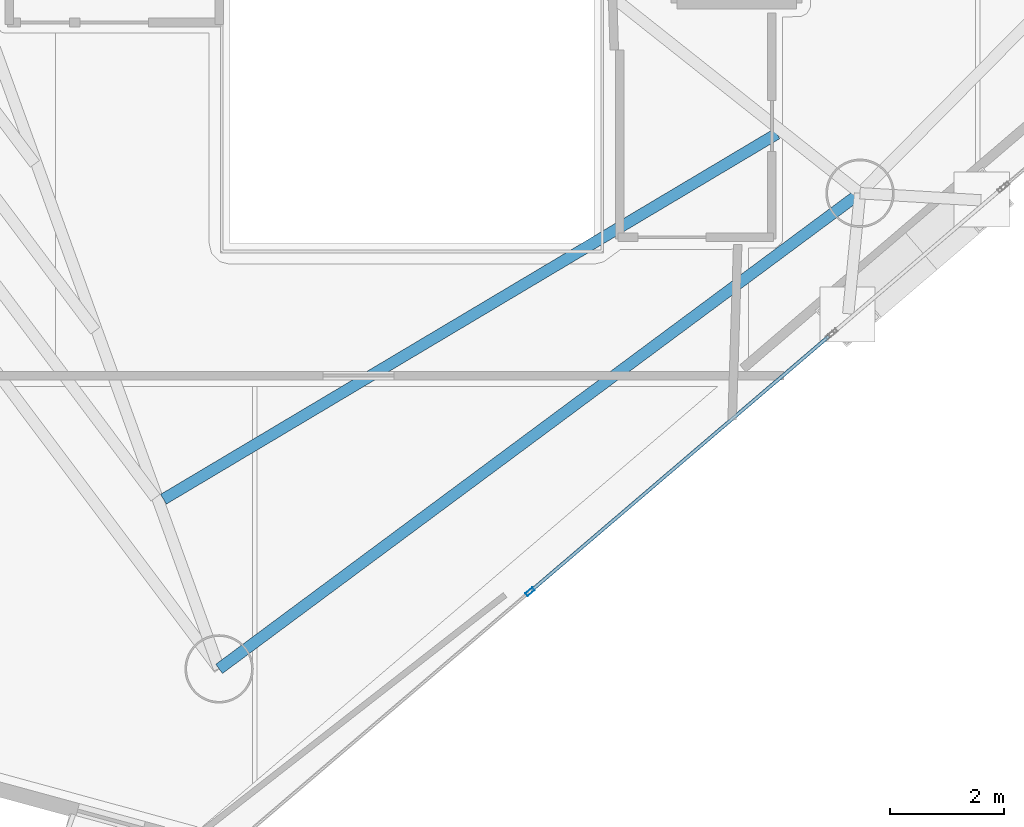
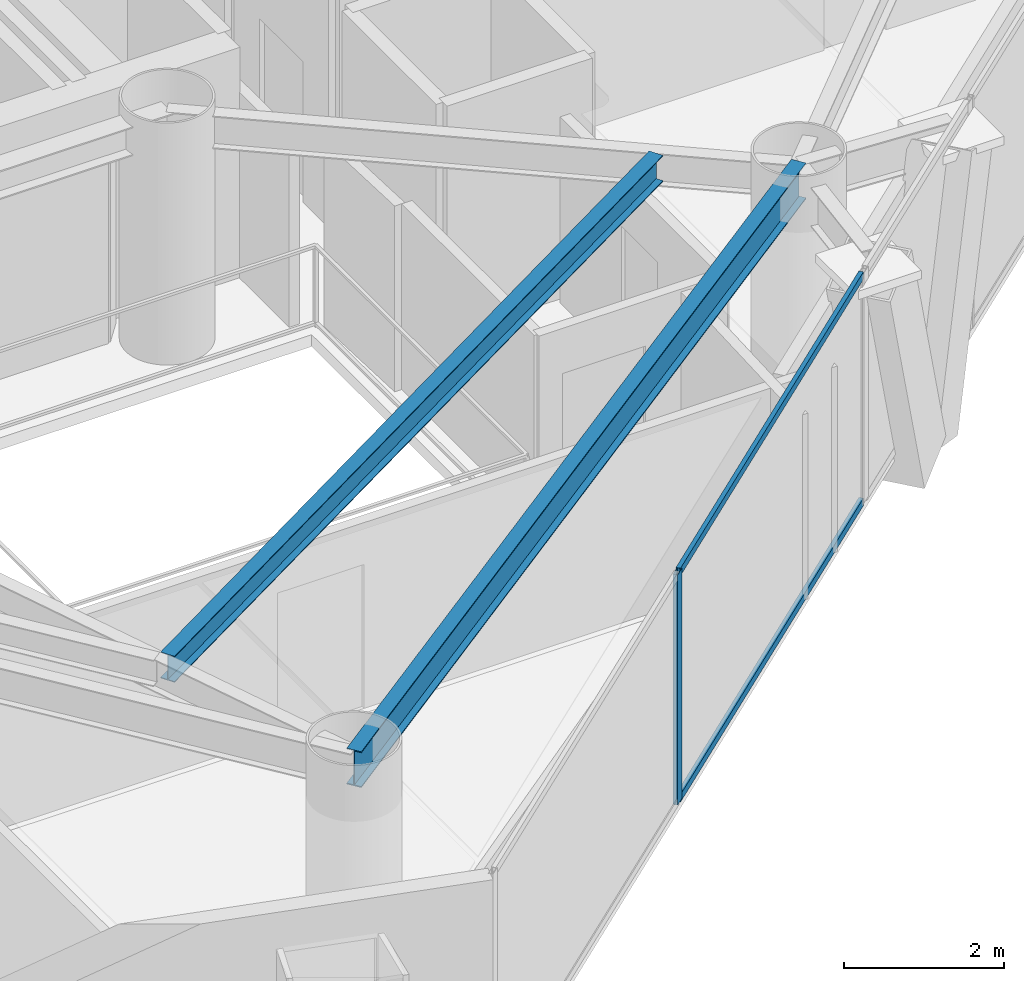
# One storey, part 5 of 23: 3 members, 2 beams, 1 element without a shape of its own.
"""IFC4 building model written with IfcOpenShell, lengths in metres."""

from ifc_helpers import new_model, si_unit, direction, frame, origin, origin_2d, place, context, subcontext, project, spatial, hollow_rectangle, i_section, extrude, material, layer, layer_set, material_profile, profile_set, type_object, element, aggregate, save


model = new_model("IFC4")

# Units and contexts
model_context = context("Model", 3, precision=1e-05, world=origin(), true_north=direction((0.0, 1.0)))
body_context = subcontext(model_context, "Body", "Model", "MODEL_VIEW")
ifc_project = project(units=[si_unit("LENGTHUNIT", "METRE"), si_unit("AREAUNIT", "SQUARE_METRE"), si_unit("VOLUMEUNIT", "CUBIC_METRE"), si_unit("PLANEANGLEUNIT", "RADIAN"), si_unit("MASSUNIT", "GRAM", prefix="KILO")], contexts=[model_context])

# Site, building, storey
site_placement = place(None, origin())
site = spatial("IfcSite", under=ifc_project, at=site_placement, CompositionType="ELEMENT")
building_placement = place(site_placement, origin())
building = spatial("IfcBuilding", under=site, at=building_placement, Name="Qianvela Tower", CompositionType="ELEMENT")
storey_placement = place(building_placement, frame((0.0, 0.0, 215.10009765625)))
storey = spatial("IfcBuildingStorey", under=building, at=storey_placement, Name="L55", CompositionType="ELEMENT", Elevation=215.10009765625)

# Beams
ifc_material_1 = material(Name="Steel Q355B", Category="steel")
ifc_material_profile_1 = material_profile(ifc_material_1, i_section(OverallWidth=0.199951171875, OverallDepth=0.39990234375, WebThickness=0.008056640625, FlangeThickness=0.012939453125, at=origin_2d()), Name="HN400x200x8x13")
ifc_profile_set_1 = profile_set([ifc_material_profile_1], Name="Steel Q355B")
beam_type_1 = type_object("IfcBeamType", Name="BM-HN400-JOIST", PredefinedType="JOIST", material=ifc_profile_set_1)
beam_1_placement = place(storey_placement, frame((32.4365234375, 13.51025390625, 3.31787109375), z_axis=(0.859083505932, 0.511835451914, 0.0), x_axis=(-0.511835451914, 0.859083505932, 0.0)))
element("IfcBeam", 1, at=beam_1_placement, inside=storey, type_object=beam_type_1, Name="L55 Secondary Composite Floor Joist 5.3", PredefinedType="JOIST", context=body_context, shape_type="SweptSolid", body=[
    extrude(i_section(OverallWidth=0.199951171875, OverallDepth=0.39990234375, WebThickness=0.008056640625, FlangeThickness=0.012939453125, at=origin_2d()), origin(), (0.0, 0.0, 1.0), 12.535888671875),
])
ifc_material_2 = material(Name="Steel Q355B", Category="steel")
ifc_material_profile_2 = material_profile(ifc_material_2, i_section(OverallWidth=0.199951171875, OverallDepth=0.550048828125, WebThickness=0.010009765625, FlangeThickness=0.01611328125, at=origin_2d()), Name="HN550x200x10x16")
ifc_profile_set_2 = profile_set([ifc_material_profile_2], Name="Steel Q355B")
beam_type_2 = type_object("IfcBeamType", Name="BM-HN550-GIRD", PredefinedType="BEAM", material=ifc_profile_set_2)
beam_2_placement = place(storey_placement, frame((33.4130859375, 10.531005859375, 3.242919921875), z_axis=(0.803016810701, 0.595956375696, 0.0), x_axis=(-0.595956375696, 0.803016810701, 0.0)))
element("IfcBeam", 2, at=beam_2_placement, inside=storey, type_object=beam_type_2, Name="L55 Perimeter Ring Spandrel Girder 5", PredefinedType="BEAM", context=body_context, shape_type="SweptSolid", body=[
    extrude(i_section(OverallWidth=0.199951171875, OverallDepth=0.550048828125, WebThickness=0.010009765625, FlangeThickness=0.01611328125, at=origin_2d()), origin(), (0.0, 0.0, 1.0), 14.0146484375),
])

# Curtain wall, members
ifc_material_3 = material(Name="Anodised Architectural Aluminium and Low-E Glass", Category="aluminium")
ifc_layer = layer(ifc_material_3, 0.159912109375)
ifc_layer_set = layer_set([ifc_layer], Name="Anodised Architectural Aluminium and Low-E Glass")
curtain_wall_type = type_object("IfcCurtainWallType", Name="CW-COLIV-Z56", PredefinedType="USERDEFINED", material=ifc_layer_set)
curtain_wall_placement = place(storey_placement, origin())
curtain_wall = element("IfcCurtainWall", 3, at=curtain_wall_placement, inside=storey, type_object=curtain_wall_type, Name="L55 CW-COLIV-Z56 Curtain Wall 06A", ObjectType="CURTAIN_WALL_SYSTEM", PredefinedType="USERDEFINED")
ifc_material_4 = material(Name="Anodised Architectural Aluminium 6063-T6", Category="aluminium")
ifc_material_profile_3 = material_profile(ifc_material_4, hollow_rectangle(XDim=0.06494140625, YDim=0.159912109375, WallThickness=0.0048828125, at=origin_2d()), Name="ALU-MULL-65x160")
ifc_profile_set_3 = profile_set([ifc_material_profile_3], Name="Anodised Architectural Aluminium 6063-T6")
member_type_1 = type_object("IfcMemberType", Name="CW-COLIV-Z56-MULL", PredefinedType="MULLION", material=ifc_profile_set_3)
member_1_placement = place(storey_placement, frame((38.872314453125, 11.88671875, 0.0), z_axis=(0.0, 0.0, 1.0), x_axis=(-0.649620040422, 0.76025903683, 0.0)))
member_1 = element("IfcMember", 4, at=member_1_placement, type_object=member_type_1, Name="CW-5 mullion 2", PredefinedType="MULLION", context=body_context, shape_type="SweptSolid", body=[
    extrude(hollow_rectangle(XDim=0.06494140625, YDim=0.159912109375, WallThickness=0.0048828125, at=origin_2d()), origin(), (0.0, 0.0, 1.0), 3.52001953125),
])
ifc_material_5 = material(Name="Anodised Architectural Aluminium 6063-T6", Category="aluminium")
ifc_material_profile_4 = material_profile(ifc_material_5, hollow_rectangle(XDim=0.06005859375, YDim=0.114990234375, WallThickness=0.00390625, at=origin_2d()), Name="ALU-TRAN-60x115")
ifc_profile_set_4 = profile_set([ifc_material_profile_4], Name="Anodised Architectural Aluminium 6063-T6")
member_type_2 = type_object("IfcMemberType", Name="CW-COLIV-Z56-TRAN", PredefinedType="USERDEFINED", material=ifc_profile_set_4)
member_2_placement = place(storey_placement, frame((38.89697265625, 11.90771484375, 0.02978515625), z_axis=(0.760256985666, 0.64962244092, 0.0), x_axis=(-0.64962244092, 0.760256985666, 0.0)))
member_2 = element("IfcMember", 5, at=member_2_placement, type_object=member_type_2, Name="CW-5 transom 2.1", ObjectType="TRANSOM", PredefinedType="USERDEFINED", context=body_context, shape_type="SweptSolid", body=[
    extrude(hollow_rectangle(XDim=0.06005859375, YDim=0.114990234375, WallThickness=0.00390625, at=origin_2d()), origin(), (0.0, 0.0, 1.0), 6.867431640625),
])
member_3_placement = place(storey_placement, frame((38.89697265625, 11.90771484375, 3.489990234375), z_axis=(0.760256985666, 0.64962244092, 0.0), x_axis=(-0.64962244092, 0.760256985666, 0.0)))
member_3 = element("IfcMember", 6, at=member_3_placement, type_object=member_type_2, Name="CW-5 transom 2.2", ObjectType="TRANSOM", PredefinedType="USERDEFINED", context=body_context, shape_type="SweptSolid", body=[
    extrude(hollow_rectangle(XDim=0.06005859375, YDim=0.114990234375, WallThickness=0.00390625, at=origin_2d()), origin(), (0.0, 0.0, 1.0), 6.867431640625),
])
aggregate(curtain_wall, [member_1, member_2, member_3])

save(model, "model.ifc")
